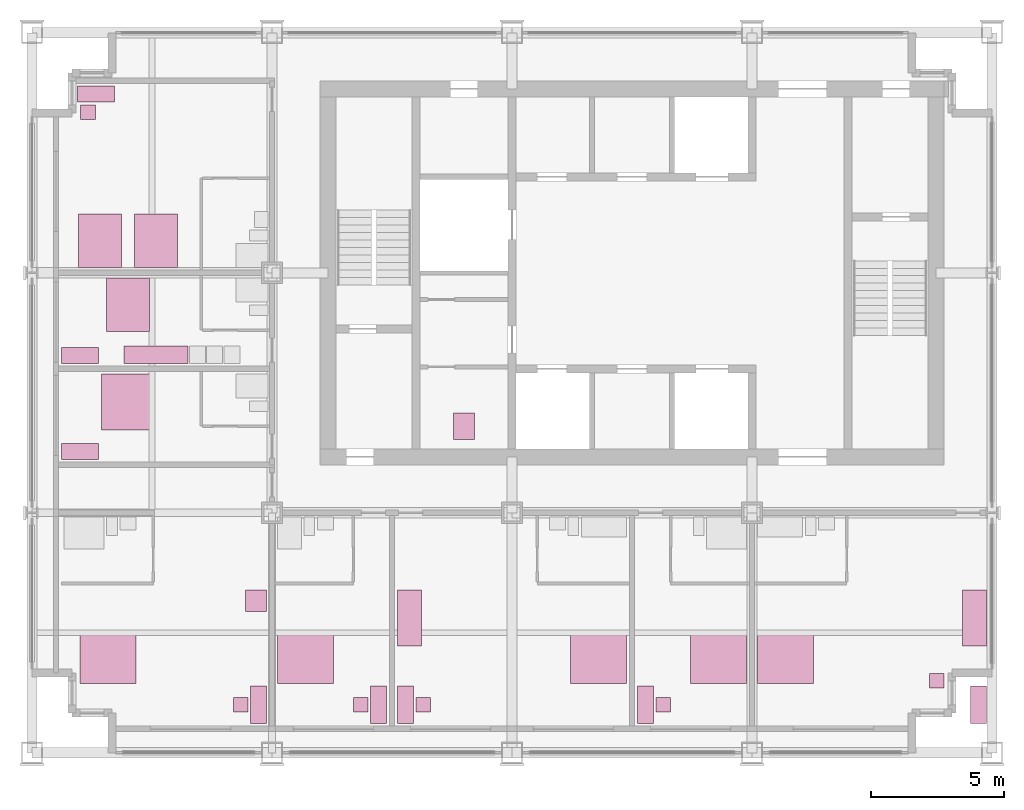
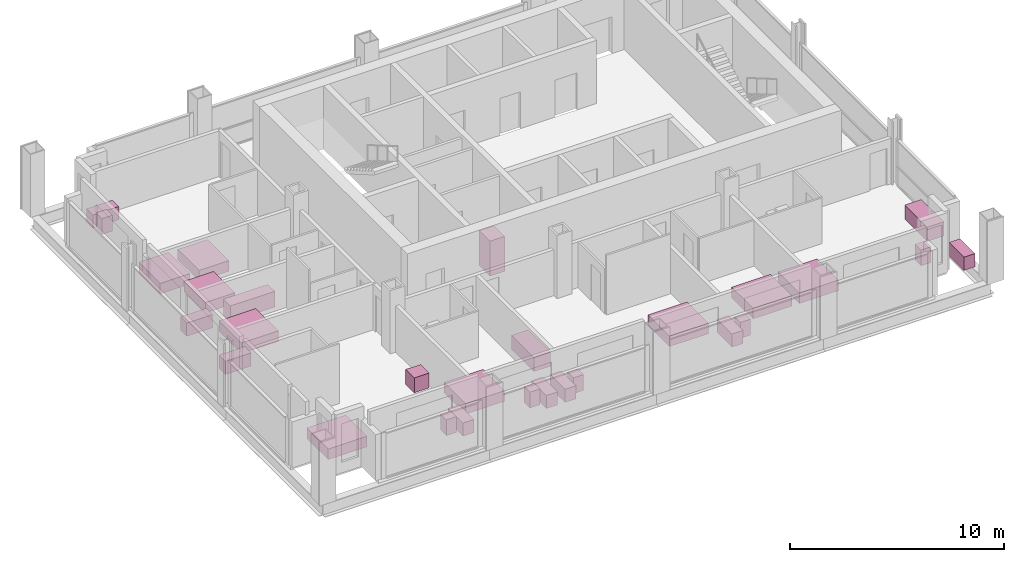
# One storey, part 12 of 12: 28 furniture elements.
"""IFC4 building model written with IfcOpenShell, lengths in metres."""

from ifc_helpers import new_model, si_unit, direction, frame, origin, origin_2d, place, context, subcontext, project, spatial, rectangle, extrude, element, save


model = new_model("IFC4")

# Units and contexts
model_context = context("Model", 3, precision=1e-05, world=origin(), true_north=direction((0.0, 1.0)))
body_context = subcontext(model_context, "Body", "Model", "MODEL_VIEW")
ifc_project = project(units=[si_unit("LENGTHUNIT", "METRE"), si_unit("AREAUNIT", "SQUARE_METRE"), si_unit("VOLUMEUNIT", "CUBIC_METRE"), si_unit("PLANEANGLEUNIT", "RADIAN"), si_unit("MASSUNIT", "GRAM", prefix="KILO")], contexts=[model_context])

# Site, building, storey
site_placement = place(None, origin())
site = spatial("IfcSite", under=ifc_project, at=site_placement, CompositionType="ELEMENT")
building_placement = place(site_placement, origin())
building = spatial("IfcBuilding", under=site, at=building_placement, Name="Loomwork Tower", CompositionType="ELEMENT")
storey_placement = place(building_placement, frame((0.0, 0.0, 230.199951171875)))
storey = spatial("IfcBuildingStorey", under=building, at=storey_placement, Name="L63", CompositionType="ELEMENT", Elevation=230.199951171875)

# Furniture
furniture_1_placement = place(storey_placement, frame((2.85009765625, 3.60009765625, 0.0), z_axis=(0.0, 0.0, 1.0), x_axis=(1.0, 0.0, 0.0)))
element("IfcFurniture", 1, at=furniture_1_placement, inside=storey, Name="King bed L63", PredefinedType="BED", context=body_context, shape_type="SweptSolid", body=[
    extrude(rectangle(XDim=2.10009765625, YDim=2.0, at=origin_2d()), origin(), (0.0, 0.0, 1.0), 0.60009765625),
])
furniture_2_placement = place(storey_placement, frame((8.5, 1.800048828125, 0.0), z_axis=(0.0, 0.0, 1.0), x_axis=(1.0, 0.0, 0.0)))
element("IfcFurniture", 2, at=furniture_2_placement, inside=storey, Name="Writing desk L63", PredefinedType="DESK", context=body_context, shape_type="SweptSolid", body=[
    extrude(rectangle(XDim=0.60009765625, YDim=1.39990234375, at=origin_2d()), origin(), (0.0, 0.0, 1.0), 0.75),
])
furniture_3_placement = place(storey_placement, frame((7.824951171875, 1.800048828125, 0.0), z_axis=(0.0, 0.0, 1.0), x_axis=(1.0, 0.0, 0.0)))
element("IfcFurniture", 3, at=furniture_3_placement, inside=storey, Name="Desk chair L63", PredefinedType="CHAIR", context=body_context, shape_type="SweptSolid", body=[
    extrude(rectangle(XDim=0.550048828125, YDim=0.550048828125, at=origin_2d()), origin(), (0.0, 0.0, 1.0), 0.89990234375),
])
furniture_4_placement = place(storey_placement, frame((8.39990234375, 5.699951171875, 0.0), z_axis=(0.0, 0.0, 1.0), x_axis=(1.0, 0.0, 0.0)))
element("IfcFurniture", 4, at=furniture_4_placement, inside=storey, Name="Lounge armchair L63", PredefinedType="CHAIR", context=body_context, shape_type="SweptSolid", body=[
    extrude(rectangle(XDim=0.800048828125, YDim=0.800048828125, at=origin_2d()), origin(), (0.0, 0.0, 1.0), 0.85009765625),
])
furniture_5_placement = place(storey_placement, frame((10.25, 3.60009765625, 0.0), z_axis=(0.0, 0.0, 1.0), x_axis=(1.0, 0.0, 0.0)))
element("IfcFurniture", 5, at=furniture_5_placement, inside=storey, Name="King bed L63", PredefinedType="BED", context=body_context, shape_type="SweptSolid", body=[
    extrude(rectangle(XDim=2.10009765625, YDim=2.0, at=origin_2d()), origin(), (0.0, 0.0, 1.0), 0.60009765625),
])
furniture_6_placement = place(storey_placement, frame((13.0, 1.800048828125, 0.0), z_axis=(0.0, 0.0, 1.0), x_axis=(1.0, 0.0, 0.0)))
element("IfcFurniture", 6, at=furniture_6_placement, inside=storey, Name="Writing desk L63", PredefinedType="DESK", context=body_context, shape_type="SweptSolid", body=[
    extrude(rectangle(XDim=0.60009765625, YDim=1.39990234375, at=origin_2d()), origin(), (0.0, 0.0, 1.0), 0.75),
])
furniture_7_placement = place(storey_placement, frame((12.324951171875, 1.800048828125, 0.0), z_axis=(0.0, 0.0, 1.0), x_axis=(1.0, 0.0, 0.0)))
element("IfcFurniture", 7, at=furniture_7_placement, inside=storey, Name="Desk chair L63", PredefinedType="CHAIR", context=body_context, shape_type="SweptSolid", body=[
    extrude(rectangle(XDim=0.550048828125, YDim=0.550048828125, at=origin_2d()), origin(), (0.0, 0.0, 1.0), 0.89990234375),
])
furniture_8_placement = place(storey_placement, frame((21.25, 3.60009765625, 0.0), z_axis=(0.0, 0.0, 1.0), x_axis=(1.0, 0.0, 0.0)))
element("IfcFurniture", 8, at=furniture_8_placement, inside=storey, Name="King bed L63", PredefinedType="BED", context=body_context, shape_type="SweptSolid", body=[
    extrude(rectangle(XDim=2.10009765625, YDim=2.0, at=origin_2d()), origin(), (0.0, 0.0, 1.0), 0.60009765625),
])
furniture_9_placement = place(storey_placement, frame((14.0, 1.800048828125, 0.0), z_axis=(0.0, 0.0, 1.0), x_axis=(1.0, 0.0, 0.0)))
element("IfcFurniture", 9, at=furniture_9_placement, inside=storey, Name="Writing desk L63", PredefinedType="DESK", context=body_context, shape_type="SweptSolid", body=[
    extrude(rectangle(XDim=0.60009765625, YDim=1.39990234375, at=origin_2d()), origin(), (0.0, 0.0, 1.0), 0.75),
])
furniture_10_placement = place(storey_placement, frame((14.675048828125, 1.800048828125, 0.0), z_axis=(0.0, 0.0, 1.0), x_axis=(1.0, 0.0, 0.0)))
element("IfcFurniture", 10, at=furniture_10_placement, inside=storey, Name="Desk chair L63", PredefinedType="CHAIR", context=body_context, shape_type="SweptSolid", body=[
    extrude(rectangle(XDim=0.550048828125, YDim=0.550048828125, at=origin_2d()), origin(), (0.0, 0.0, 1.0), 0.89990234375),
])
furniture_11_placement = place(storey_placement, frame((14.14990234375, 5.050048828125, 0.0), z_axis=(0.0, 0.0, 1.0), x_axis=(1.0, 0.0, 0.0)))
element("IfcFurniture", 11, at=furniture_11_placement, inside=storey, Name="Sofa L63", PredefinedType="SOFA", context=body_context, shape_type="SweptSolid", body=[
    extrude(rectangle(XDim=0.89990234375, YDim=2.10009765625, at=origin_2d()), origin(), (0.0, 0.0, 1.0), 0.800048828125),
])
furniture_12_placement = place(storey_placement, frame((25.75, 3.60009765625, 0.0), z_axis=(0.0, 0.0, 1.0), x_axis=(1.0, 0.0, 0.0)))
element("IfcFurniture", 12, at=furniture_12_placement, inside=storey, Name="King bed L63", PredefinedType="BED", context=body_context, shape_type="SweptSolid", body=[
    extrude(rectangle(XDim=2.10009765625, YDim=2.0, at=origin_2d()), origin(), (0.0, 0.0, 1.0), 0.60009765625),
])
furniture_13_placement = place(storey_placement, frame((23.0, 1.800048828125, 0.0), z_axis=(0.0, 0.0, 1.0), x_axis=(1.0, 0.0, 0.0)))
element("IfcFurniture", 13, at=furniture_13_placement, inside=storey, Name="Writing desk L63", PredefinedType="DESK", context=body_context, shape_type="SweptSolid", body=[
    extrude(rectangle(XDim=0.60009765625, YDim=1.39990234375, at=origin_2d()), origin(), (0.0, 0.0, 1.0), 0.75),
])
furniture_14_placement = place(storey_placement, frame((23.675048828125, 1.800048828125, 0.0), z_axis=(0.0, 0.0, 1.0), x_axis=(1.0, 0.0, 0.0)))
element("IfcFurniture", 14, at=furniture_14_placement, inside=storey, Name="Desk chair L63", PredefinedType="CHAIR", context=body_context, shape_type="SweptSolid", body=[
    extrude(rectangle(XDim=0.550048828125, YDim=0.550048828125, at=origin_2d()), origin(), (0.0, 0.0, 1.0), 0.89990234375),
])
furniture_15_placement = place(storey_placement, frame((28.25, 3.60009765625, 0.0), z_axis=(0.0, 0.0, 1.0), x_axis=(1.0, 0.0, 0.0)))
element("IfcFurniture", 15, at=furniture_15_placement, inside=storey, Name="King bed L63", PredefinedType="BED", context=body_context, shape_type="SweptSolid", body=[
    extrude(rectangle(XDim=2.10009765625, YDim=2.0, at=origin_2d()), origin(), (0.0, 0.0, 1.0), 0.60009765625),
])
furniture_16_placement = place(storey_placement, frame((35.5, 1.800048828125, 0.0), z_axis=(0.0, 0.0, 1.0), x_axis=(1.0, 0.0, 0.0)))
element("IfcFurniture", 16, at=furniture_16_placement, inside=storey, Name="Writing desk L63", PredefinedType="DESK", context=body_context, shape_type="SweptSolid", body=[
    extrude(rectangle(XDim=0.60009765625, YDim=1.39990234375, at=origin_2d()), origin(), (0.0, 0.0, 1.0), 0.75),
])
furniture_17_placement = place(storey_placement, frame((33.925048828125, 2.699951171875, 0.0), z_axis=(0.0, 0.0, 1.0), x_axis=(1.0, 0.0, 0.0)))
element("IfcFurniture", 17, at=furniture_17_placement, inside=storey, Name="Desk chair L63", PredefinedType="CHAIR", context=body_context, shape_type="SweptSolid", body=[
    extrude(rectangle(XDim=0.550048828125, YDim=0.550048828125, at=origin_2d()), origin(), (0.0, 0.0, 1.0), 0.89990234375),
])
furniture_18_placement = place(storey_placement, frame((35.35009765625, 5.050048828125, 0.0), z_axis=(0.0, 0.0, 1.0), x_axis=(1.0, 0.0, 0.0)))
element("IfcFurniture", 18, at=furniture_18_placement, inside=storey, Name="Sofa L63", PredefinedType="SOFA", context=body_context, shape_type="SweptSolid", body=[
    extrude(rectangle(XDim=0.89990234375, YDim=2.10009765625, at=origin_2d()), origin(), (0.0, 0.0, 1.0), 0.800048828125),
])
furniture_19_placement = place(storey_placement, frame((3.60009765625, 13.14990234375, 0.0), z_axis=(0.0, 0.0, 1.0), x_axis=(1.0, 0.0, 0.0)))
element("IfcFurniture", 19, at=furniture_19_placement, inside=storey, Name="King bed L63", PredefinedType="BED", context=body_context, shape_type="SweptSolid", body=[
    extrude(rectangle(XDim=2.0, YDim=2.10009765625, at=origin_2d()), origin(), (0.0, 0.0, 1.0), 0.60009765625),
])
furniture_20_placement = place(storey_placement, frame((1.800048828125, 11.300048828125, 0.0), z_axis=(0.0, 0.0, 1.0), x_axis=(1.0, 0.0, 0.0)))
element("IfcFurniture", 20, at=furniture_20_placement, inside=storey, Name="Writing desk L63", PredefinedType="DESK", context=body_context, shape_type="SweptSolid", body=[
    extrude(rectangle(XDim=1.39990234375, YDim=0.60009765625, at=origin_2d()), origin(), (0.0, 0.0, 1.0), 0.75),
])
furniture_21_placement = place(storey_placement, frame((3.60009765625, 16.800048828125, 0.0), z_axis=(0.0, 0.0, 1.0), x_axis=(1.0, 0.0, 0.0)))
element("IfcFurniture", 21, at=furniture_21_placement, inside=storey, Name="Queen bed L63", PredefinedType="BED", context=body_context, shape_type="SweptSolid", body=[
    extrude(rectangle(XDim=1.60009765625, YDim=2.0, at=origin_2d()), origin(), (0.0, 0.0, 1.0), 0.60009765625),
])
furniture_22_placement = place(storey_placement, frame((1.800048828125, 14.89990234375, 0.0), z_axis=(0.0, 0.0, 1.0), x_axis=(1.0, 0.0, 0.0)))
element("IfcFurniture", 22, at=furniture_22_placement, inside=storey, Name="Writing desk L63", PredefinedType="DESK", context=body_context, shape_type="SweptSolid", body=[
    extrude(rectangle(XDim=1.39990234375, YDim=0.60009765625, at=origin_2d()), origin(), (0.0, 0.0, 1.0), 0.75),
])
furniture_23_placement = place(storey_placement, frame((4.64990234375, 14.925048828125, 0.0), z_axis=(0.0, 0.0, 1.0), x_axis=(1.0, 0.0, 0.0)))
element("IfcFurniture", 23, at=furniture_23_placement, inside=storey, Name="Kitchenette counter L63", ObjectType="KITCHENETTE", PredefinedType="USERDEFINED", context=body_context, shape_type="SweptSolid", body=[
    extrude(rectangle(XDim=2.39990234375, YDim=0.64990234375, at=origin_2d()), origin(), (0.0, 0.0, 1.0), 0.89990234375),
])
for number, where, z_axis, x_axis, name in (
    (24, (4.64990234375, 19.199951171875, 0.0), (0.0, 0.0, 1.0), (1.0, 0.0, 0.0), "Queen bed L63"),
    (25, (2.550048828125, 19.199951171875, 0.0), (0.0, 0.0, 1.0), (1.0, 0.0, 0.0), "Queen bed L63"),
):
    element("IfcFurniture", number, at=place(storey_placement, frame(where, z_axis=z_axis, x_axis=x_axis)), inside=storey, Name=name, PredefinedType="BED", context=body_context, shape_type="SweptSolid", body=[
        extrude(rectangle(XDim=1.60009765625, YDim=2.0, at=origin_2d()), origin(), (0.0, 0.0, 1.0), 0.60009765625),
    ])
furniture_24_placement = place(storey_placement, frame((2.39990234375, 24.699951171875, 0.0), z_axis=(0.0, 0.0, 1.0), x_axis=(1.0, 0.0, 0.0)))
element("IfcFurniture", 26, at=furniture_24_placement, inside=storey, Name="Writing desk L63", PredefinedType="DESK", context=body_context, shape_type="SweptSolid", body=[
    extrude(rectangle(XDim=1.39990234375, YDim=0.60009765625, at=origin_2d()), origin(), (0.0, 0.0, 1.0), 0.75),
])
furniture_25_placement = place(storey_placement, frame((2.10009765625, 24.02490234375, 0.0), z_axis=(0.0, 0.0, 1.0), x_axis=(1.0, 0.0, 0.0)))
element("IfcFurniture", 27, at=furniture_25_placement, inside=storey, Name="Desk chair L63", PredefinedType="CHAIR", context=body_context, shape_type="SweptSolid", body=[
    extrude(rectangle(XDim=0.550048828125, YDim=0.550048828125, at=origin_2d()), origin(), (0.0, 0.0, 1.0), 0.89990234375),
])
furniture_26_placement = place(storey_placement, frame((16.199951171875, 12.25, 0.0), z_axis=(0.0, 0.0, 1.0), x_axis=(1.0, 0.0, 0.0)))
element("IfcFurniture", 28, at=furniture_26_placement, inside=storey, Name="Data cabinet L63", ObjectType="DATA CABINET", PredefinedType="USERDEFINED", context=body_context, shape_type="SweptSolid", body=[
    extrude(rectangle(XDim=0.800048828125, YDim=1.0, at=origin_2d()), origin(), (0.0, 0.0, 1.0), 2.0),
])

save(model, "model.ifc")
